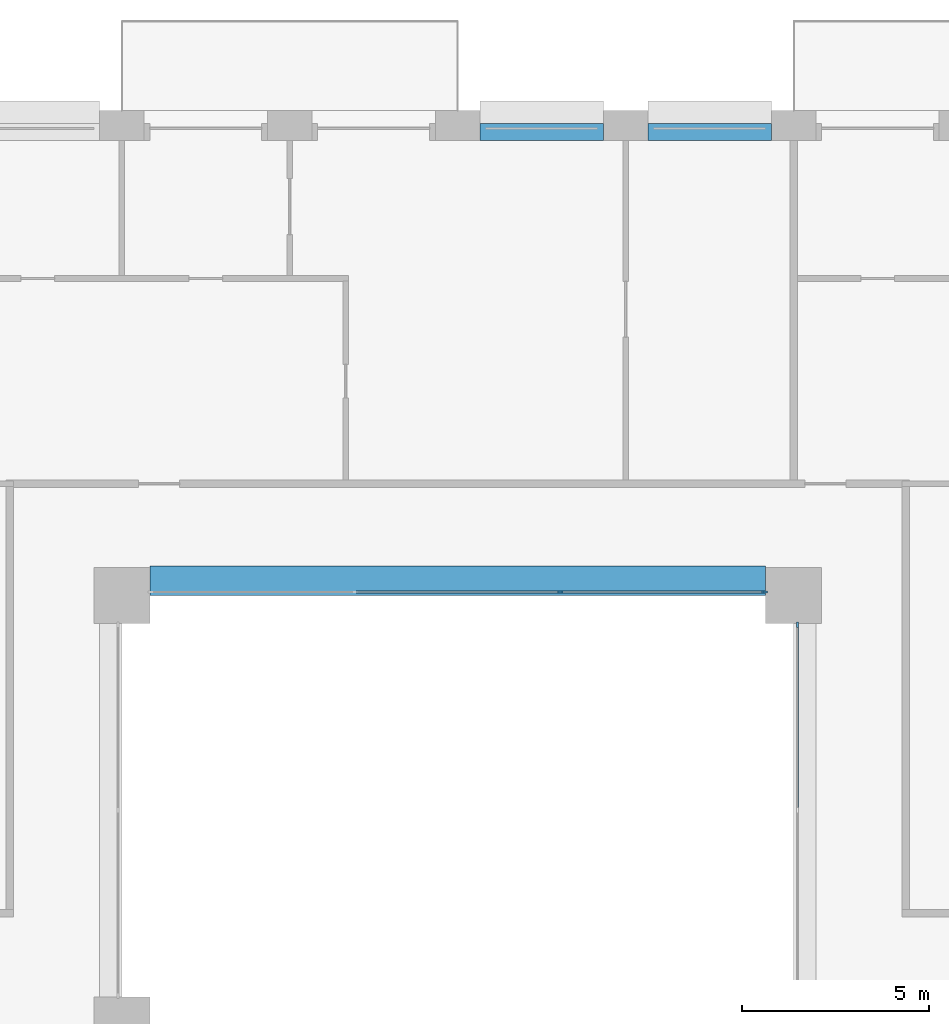
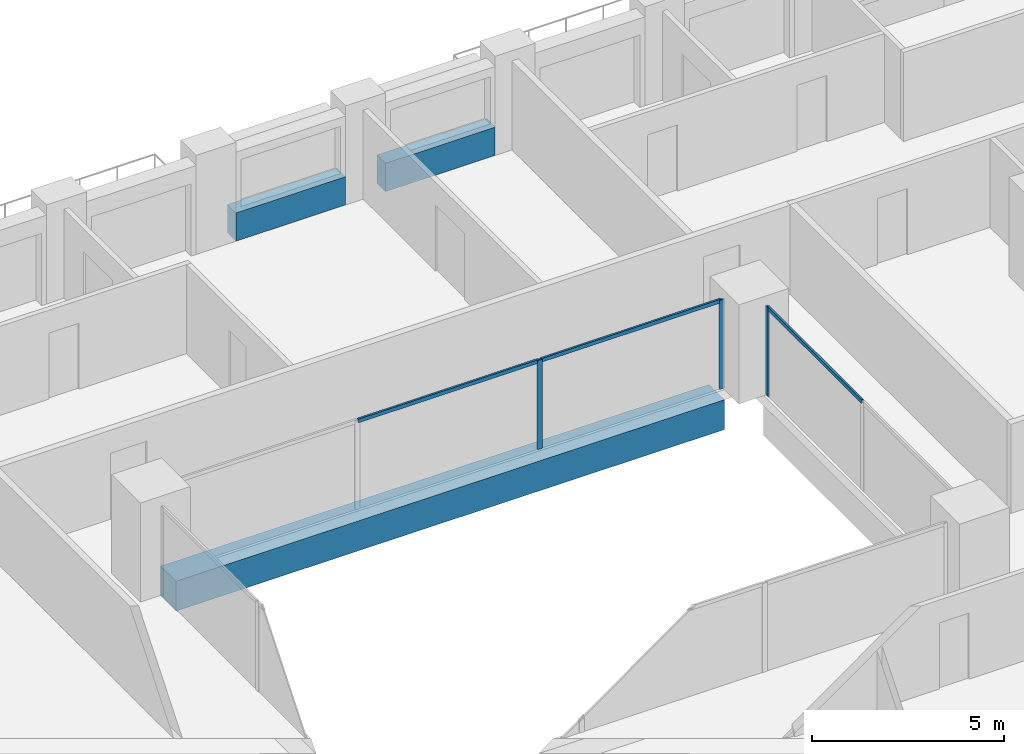
# One storey, part 7 of 21: 6 members, 3 beams, 2 elements without a shape of their own.
"""IFC4 building model written with IfcOpenShell, lengths in metres."""

from ifc_helpers import new_model, si_unit, direction, frame, origin, origin_2d, place, context, subcontext, project, spatial, rectangle, extrude, material, layer, layer_set, material_profile, profile_set, type_object, element, aggregate, save


model = new_model("IFC4")

# Units and contexts
model_context = context("Model", 3, precision=1e-05, world=origin(), true_north=direction((0.0, 1.0)))
body_context = subcontext(model_context, "Body", "Model", "MODEL_VIEW")
ifc_project = project(units=[si_unit("LENGTHUNIT", "METRE"), si_unit("AREAUNIT", "SQUARE_METRE"), si_unit("VOLUMEUNIT", "CUBIC_METRE"), si_unit("PLANEANGLEUNIT", "RADIAN"), si_unit("MASSUNIT", "GRAM", prefix="KILO")], contexts=[model_context])

# Site, building, storey
site_placement = place(None, origin())
site = spatial("IfcSite", under=ifc_project, at=site_placement, CompositionType="ELEMENT")
building_placement = place(site_placement, origin())
building = spatial("IfcBuilding", under=site, at=building_placement, Name="Brigalow Station Residences", CompositionType="ELEMENT")
storey_placement = place(building_placement, frame((0.0, 0.0, 47.85009765625)))
storey = spatial("IfcBuildingStorey", under=building, at=storey_placement, Name="L13", CompositionType="ELEMENT", Elevation=47.85009765625)

# Beam
ifc_material_1 = material(Name="Concrete C65", Category="concrete")
ifc_material_profile_1 = material_profile(ifc_material_1, rectangle(XDim=0.800048828125, YDim=0.949951171875, at=origin_2d()), Name="RC800x950")
ifc_profile_set_1 = profile_set([ifc_material_profile_1], Name="Concrete C65")
beam_type_1 = type_object("IfcBeamType", Name="ATRIUM EDGE GIRDER OVER 13.5 M SPAN 800x950 C65", PredefinedType="BEAM", material=ifc_profile_set_1)
beam_placement = place(storey_placement, frame((27.75, 35.89990234375, -0.795166015625), z_axis=(1.0, 0.0, 0.0), x_axis=(0.0, 1.0, 0.0)))
element("IfcBeam", 1, at=beam_placement, inside=storey, type_object=beam_type_1, Name="ATRIUM EDGE GIRDER D L13", PredefinedType="BEAM", context=body_context, shape_type="SweptSolid", body=[
    extrude(rectangle(XDim=0.800048828125, YDim=0.949951171875, at=origin_2d()), origin(), (0.0, 0.0, 1.0), 16.5),
])

# Curtain wall, member
ifc_material_2 = material(Name="Aluminium", Category="aluminium")
ifc_layer = layer(ifc_material_2, 0.14990234375)
ifc_layer_set = layer_set([ifc_layer], Name="ATRIUM FIRE-RATED GLAZING CURTAIN WALL")
curtain_wall_type = type_object("IfcCurtainWallType", Name="ATRIUM FIRE-RATED GLAZING CURTAIN WALL", PredefinedType="NOTDEFINED", material=ifc_layer_set)
curtain_wall_1_placement = place(storey_placement, origin())
curtain_wall_1 = element("IfcCurtainWall", 2, at=curtain_wall_1_placement, inside=storey, type_object=curtain_wall_type, Name="L13/cw/atrium-E", PredefinedType="NOTDEFINED")
ifc_material_3 = material(Name="Aluminium", Category="aluminium")
ifc_material_profile_2 = material_profile(ifc_material_3, rectangle(XDim=0.06005859375, YDim=0.14990234375, at=origin_2d()), Name="ATRIUM FIRE-RATED GLAZING MULLION 60x150")
ifc_profile_set_2 = profile_set([ifc_material_profile_2], Name="Aluminium")
member_type_1 = type_object("IfcMemberType", Name="ATRIUM FIRE-RATED GLAZING MULLION 60x150", PredefinedType="MULLION", material=ifc_profile_set_2)
member_1_placement = place(storey_placement, frame((45.10009765625, 34.719970703125, 0.0), z_axis=(0.0, 0.0, 1.0), x_axis=(-1.0, 0.0, 0.0)))
member_1 = element("IfcMember", 3, at=member_1_placement, type_object=member_type_1, Name="L13/cw/atrium-E/M02", PredefinedType="MULLION", context=body_context, shape_type="SweptSolid", body=[
    extrude(rectangle(XDim=0.06005859375, YDim=0.14990234375, at=origin_2d()), origin(), (0.0, 0.0, 1.0), 2.829833984375),
])

# Curtain wall, members
curtain_wall_2_placement = place(storey_placement, origin())
curtain_wall_2 = element("IfcCurtainWall", 4, at=curtain_wall_2_placement, inside=storey, type_object=curtain_wall_type, Name="L13/cw/atrium-N", PredefinedType="NOTDEFINED")
member_2_placement = place(storey_placement, frame((44.219970703125, 35.60009765625, 0.0), z_axis=(0.0, 0.0, 1.0), x_axis=(0.0, -1.0, 0.0)))
member_2 = element("IfcMember", 5, at=member_2_placement, type_object=member_type_1, Name="L13/cw/atrium-N/M00", PredefinedType="MULLION", context=body_context, shape_type="SweptSolid", body=[
    extrude(rectangle(XDim=0.06005859375, YDim=0.14990234375, at=origin_2d()), origin(), (0.0, 0.0, 1.0), 2.829833984375),
])
member_3_placement = place(storey_placement, frame((38.75, 35.60009765625, 0.0), z_axis=(0.0, 0.0, 1.0), x_axis=(0.0, -1.0, 0.0)))
member_3 = element("IfcMember", 6, at=member_3_placement, type_object=member_type_1, Name="L13/cw/atrium-N/M01", PredefinedType="MULLION", context=body_context, shape_type="SweptSolid", body=[
    extrude(rectangle(XDim=0.06005859375, YDim=0.14990234375, at=origin_2d()), origin(), (0.0, 0.0, 1.0), 2.829833984375),
])

# Member
ifc_material_4 = material(Name="Aluminium", Category="aluminium")
ifc_material_profile_3 = material_profile(ifc_material_4, rectangle(XDim=0.06005859375, YDim=0.1201171875, at=origin_2d()), Name="ATRIUM FIRE-RATED GLAZING TRANSOM 60x120")
ifc_profile_set_3 = profile_set([ifc_material_profile_3], Name="Aluminium")
member_type_2 = type_object("IfcMemberType", Name="ATRIUM FIRE-RATED GLAZING TRANSOM 60x120", PredefinedType="USERDEFINED", material=ifc_profile_set_3)
member_4_placement = place(storey_placement, frame((45.10009765625, 29.780029296875, 2.7998046875), z_axis=(0.0, 1.0, 0.0), x_axis=(-1.0, 0.0, 0.0)))
member_4 = element("IfcMember", 7, at=member_4_placement, type_object=member_type_2, Name="L13/cw/atrium-E/T01-00", ObjectType="TRANSOM", PredefinedType="USERDEFINED", context=body_context, shape_type="SweptSolid", body=[
    extrude(rectangle(XDim=0.06005859375, YDim=0.1201171875, at=origin_2d()), origin(), (0.0, 0.0, 1.0), 4.909912109375),
])

aggregate(curtain_wall_1, [member_1, member_4])

member_5_placement = place(storey_placement, frame((44.18994140625, 35.60009765625, 2.7998046875), z_axis=(-1.0, 0.0, 0.0), x_axis=(0.0, -1.0, 0.0)))
member_5 = element("IfcMember", 8, at=member_5_placement, type_object=member_type_2, Name="L13/cw/atrium-N/T00-00", ObjectType="TRANSOM", PredefinedType="USERDEFINED", context=body_context, shape_type="SweptSolid", body=[
    extrude(rectangle(XDim=0.06005859375, YDim=0.1201171875, at=origin_2d()), origin(), (0.0, 0.0, 1.0), 5.409912109375),
])

member_6_placement = place(storey_placement, frame((38.719970703125, 35.60009765625, 2.7998046875), z_axis=(-1.0, 0.0, 0.0), x_axis=(0.0, -1.0, 0.0)))
member_6 = element("IfcMember", 9, at=member_6_placement, type_object=member_type_2, Name="L13/cw/atrium-N/T01-00", ObjectType="TRANSOM", PredefinedType="USERDEFINED", context=body_context, shape_type="SweptSolid", body=[
    extrude(rectangle(XDim=0.06005859375, YDim=0.1201171875, at=origin_2d()), origin(), (0.0, 0.0, 1.0), 5.43994140625),
])

aggregate(curtain_wall_2, [member_2, member_3, member_5, member_6])

# Beams
ifc_material_5 = material(Name="Concrete C65", Category="concrete")
ifc_material_profile_4 = material_profile(ifc_material_5, rectangle(XDim=0.449951171875, YDim=0.89990234375, at=origin_2d()), Name="RC450x900")
ifc_profile_set_4 = profile_set([ifc_material_profile_4], Name="Concrete C65")
beam_type_2 = type_object("IfcBeamType", Name="SPANDREL BEAM 450x900 C65", PredefinedType="SPANDREL", material=ifc_profile_set_4)
for number, where, z_axis, x_axis, name in (
    (10, (44.39990234375, 47.925048828125, 0.449951171875), (-1.0, 0.0, 0.0), (0.0, -1.0, 0.0), "L13/spandrel/W-L13-31"),
    (11, (39.89990234375, 47.925048828125, 0.449951171875), (-1.0, 0.0, 0.0), (0.0, -1.0, 0.0), "L13/spandrel/W-L13-32"),
):
    element("IfcBeam", number, at=place(storey_placement, frame(where, z_axis=z_axis, x_axis=x_axis)), inside=storey, type_object=beam_type_2, Name=name, PredefinedType="SPANDREL", context=body_context, shape_type="SweptSolid", body=[
        extrude(rectangle(XDim=0.449951171875, YDim=0.89990234375, at=origin_2d()), origin(), (0.0, 0.0, 1.0), 3.2998046875),
    ])

save(model, "model.ifc")
